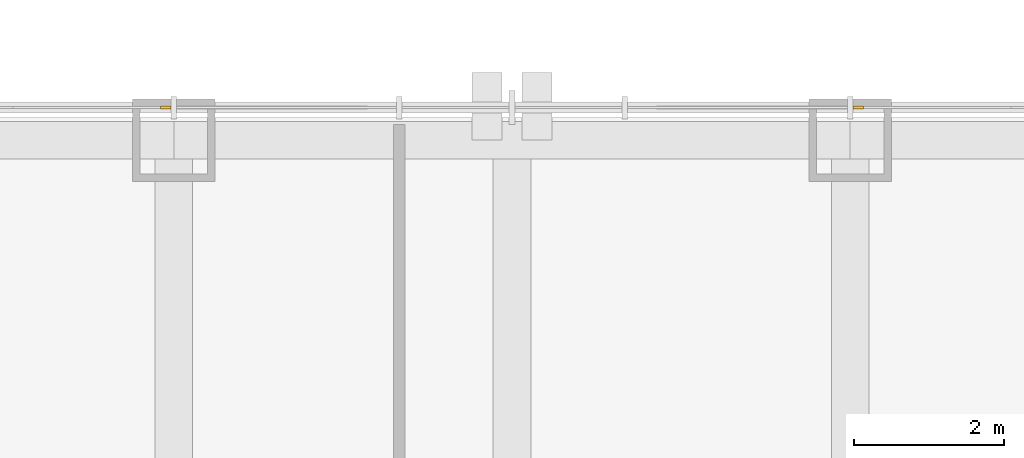
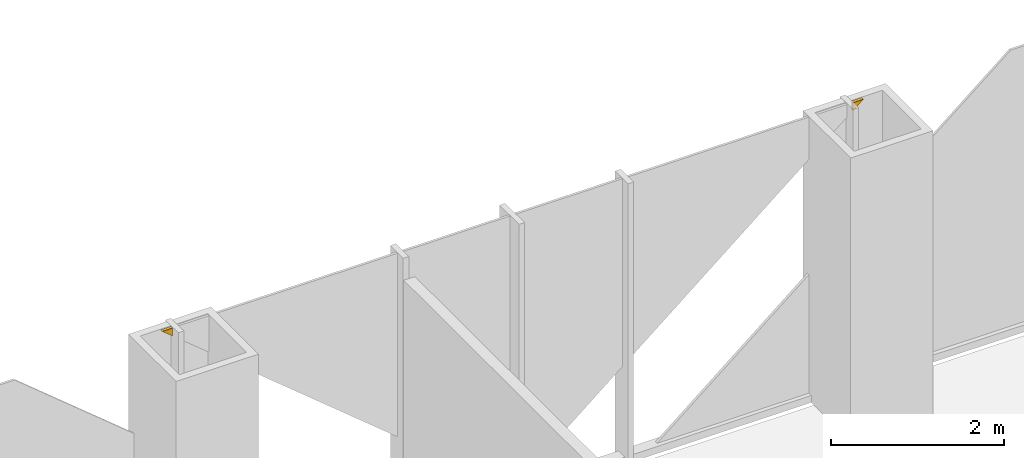
# One storey, part 17 of 17: 2 coverings.
"""IFC4 building model written with IfcOpenShell, lengths in metres."""

from ifc_helpers import new_model, si_unit, direction, frame, origin, place, context, subcontext, project, spatial, polyline, outline, extrude, material, layer, layer_set, type_object, element, save


model = new_model("IFC4")

# Units and contexts
model_context = context("Model", 3, precision=1e-05, world=origin(), true_north=direction((0.0, 1.0)))
body_context = subcontext(model_context, "Body", "Model", "MODEL_VIEW")
ifc_project = project(units=[si_unit("LENGTHUNIT", "METRE"), si_unit("AREAUNIT", "SQUARE_METRE"), si_unit("VOLUMEUNIT", "CUBIC_METRE"), si_unit("PLANEANGLEUNIT", "RADIAN"), si_unit("MASSUNIT", "GRAM", prefix="KILO")], contexts=[model_context])

# Site, building, storey
site_placement = place(None, origin())
site = spatial("IfcSite", under=ifc_project, at=site_placement, CompositionType="ELEMENT")
building_placement = place(site_placement, origin())
building = spatial("IfcBuilding", under=site, at=building_placement, Name="Malebo Sky Hospital", CompositionType="ELEMENT")
storey_placement = place(building_placement, frame((0.0, 0.0, 120.0)))
storey = spatial("IfcBuildingStorey", under=building, at=storey_placement, Name="L28", CompositionType="ELEMENT", Elevation=120.0)

# Coverings
ifc_material = material(Name="Anodised aluminium, natural silver insulated infill panel", Category="aluminium")
ifc_layer = layer(ifc_material, 0.0400390625)
ifc_layer_set = layer_set([ifc_layer], Name="BRACE INFILL PANEL 40")
covering_type = type_object("IfcCoveringType", Name="BRACE INFILL PANEL 40", PredefinedType="CLADDING", material=ifc_layer_set)
covering_1_placement = place(storey_placement, frame((55.392822265625, 86.135009765625, 3.87548828125), z_axis=(0.0, 0.0, 1.0), x_axis=(1.0, 0.0, 0.0)))
element("IfcCovering", 1, at=covering_1_placement, inside=storey, type_object=covering_type, Name="Brace infill panel 6.1", PredefinedType="CLADDING", context=body_context, shape_type="SweptSolid", body=[
    extrude(outline(polyline([(0.069580078125, 0.0), (0.069580078125, 0.114501953125), (-0.069580078125, 0.114501953125), (0.069580078125, 0.0)])), frame((0.0, 0.02001953125, 0.0), z_axis=(0.0, -1.0, 0.0), x_axis=(1.0, 0.0, 0.0)), (0.0, 0.0, 1.0), 0.0400390625),
])
covering_2_placement = place(storey_placement, frame((64.607177734375, 86.135009765625, 3.87548828125), z_axis=(0.0, 0.0, 1.0), x_axis=(1.0, 0.0, 0.0)))
element("IfcCovering", 2, at=covering_2_placement, inside=storey, type_object=covering_type, Name="Brace infill panel 11.1", PredefinedType="CLADDING", context=body_context, shape_type="SweptSolid", body=[
    extrude(outline(polyline([(-0.069580078125, 0.0), (0.069580078125, 0.114501953125), (-0.069580078125, 0.114501953125), (-0.069580078125, 0.0)])), frame((0.0, 0.02001953125, 0.0), z_axis=(0.0, -1.0, 0.0), x_axis=(1.0, 0.0, 0.0)), (0.0, 0.0, 1.0), 0.0400390625),
])

save(model, "model.ifc")
